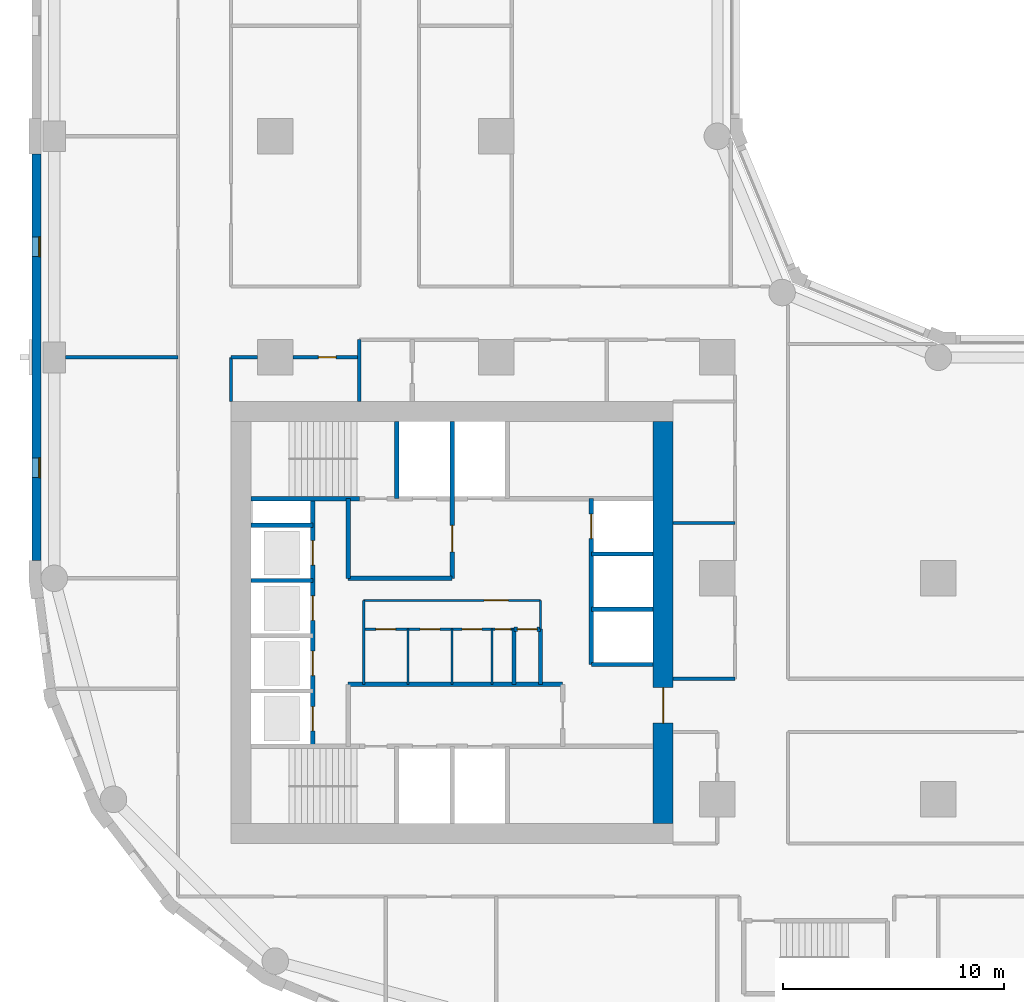
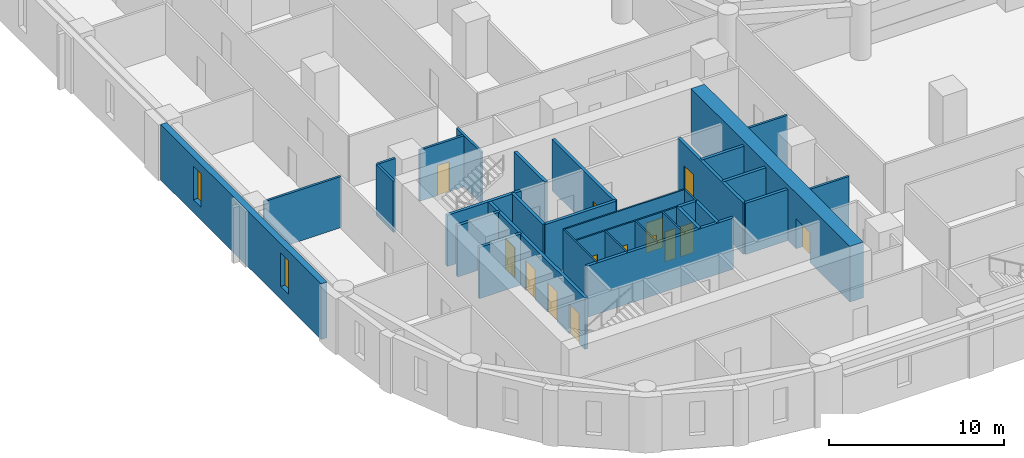
# One storey, part 3 of 10: 32 walls, 14 doors, 2 windows, 16 openings.
"""IFC4 building model written with IfcOpenShell, lengths in metres."""

from ifc_helpers import new_model, si_unit, direction, frame, frame_2d, origin, place, context, subcontext, project, spatial, rectangle, extrude, material, layer, layer_set, type_object, element, fill, save


model = new_model("IFC4")

# Units and contexts
model_context = context("Model", 3, precision=1e-05, world=origin(), true_north=direction((0.0, 1.0)))
body_context = subcontext(model_context, "Body", "Model", "MODEL_VIEW")
ifc_project = project(units=[si_unit("LENGTHUNIT", "METRE"), si_unit("AREAUNIT", "SQUARE_METRE"), si_unit("VOLUMEUNIT", "CUBIC_METRE"), si_unit("PLANEANGLEUNIT", "RADIAN"), si_unit("MASSUNIT", "GRAM", prefix="KILO")], contexts=[model_context])

# Site, building, storey
site_placement = place(None, origin())
site = spatial("IfcSite", under=ifc_project, at=site_placement, CompositionType="ELEMENT")
building_placement = place(site_placement, origin())
building = spatial("IfcBuilding", under=site, at=building_placement, Name="Qaws Garden Tower", CompositionType="ELEMENT")
storey_placement = place(building_placement, frame((0.0, 0.0, 97.800048828125)))
storey = spatial("IfcBuildingStorey", under=building, at=storey_placement, Name="L24", CompositionType="ELEMENT", Elevation=97.800048828125)

# Wall, openings, windows
ifc_material_1 = material(Name="Clay facing brick masonry", Category="masonry")
ifc_layer_1 = layer(ifc_material_1, 0.39990234375)
ifc_layer_set_1 = layer_set([ifc_layer_1], Name="Clay facing brick masonry")
wall_type_1 = type_object("IfcWallType", Name="Brick infill wall 400", PredefinedType="SOLIDWALL", material=ifc_layer_set_1)
wall_1_placement = place(storey_placement, frame((-0.800048828125, 39.199951171875, 0.0), z_axis=(0.0, 0.0, 1.0), x_axis=(0.0, -1.0, 0.0)))
wall_1 = element("IfcWall", 1, at=wall_1_placement, inside=storey, type_object=wall_type_1, Name="E-L24-infill-25", PredefinedType="SOLIDWALL", context=body_context, shape_type="SweptSolid", body=[
    extrude(rectangle(XDim=18.39990234375, YDim=0.39990234375, at=frame_2d((9.199951171875, 0.0))), origin(), (0.0, 0.0, 1.0), 3.89990234375),
])
opening_1_placement = place(wall_1_placement, frame((3.75, 0.0, 0.89990234375)))
opening_1 = element("IfcOpeningElement", 2, at=opening_1_placement, cuts=wall_1, Name="Opening W09", PredefinedType="OPENING", context=body_context, shape_type="SweptSolid", body=[
    extrude(rectangle(XDim=0.89990234375, YDim=2.35009765625, at=frame_2d((0.449951171875, 1.175048828125))), frame((0.0, 0.2099609375, 0.0), z_axis=(0.0, -1.0, 0.0), x_axis=(1.0, 0.0, 0.0)), (0.0, 0.0, 1.0), 0.419921875),
])
opening_2_placement = place(wall_1_placement, frame((13.75, 0.0, 0.89990234375)))
opening_2 = element("IfcOpeningElement", 3, at=opening_2_placement, cuts=wall_1, Name="Opening W09", PredefinedType="OPENING", context=body_context, shape_type="SweptSolid", body=[
    extrude(rectangle(XDim=0.89990234375, YDim=2.35009765625, at=frame_2d((0.449951171875, 1.175048828125))), frame((0.0, 0.2099609375, 0.0), z_axis=(0.0, -1.0, 0.0), x_axis=(1.0, 0.0, 0.0)), (0.0, 0.0, 1.0), 0.419921875),
])
ifc_material_2 = material(Name="Aluminium framed window, clear glazing", Category="aluminium")
window_type = type_object("IfcWindowType", Name="Slit window 900 x 2350", PartitioningType="SINGLE_PANEL", PredefinedType="WINDOW", material=ifc_material_2)
window_1_placement = place(opening_1_placement, origin())
window_1 = element("IfcWindow", 4, at=window_1_placement, inside=storey, type_object=window_type, Name="E-L24-window-25-0", OverallHeight=2.35009765625, OverallWidth=0.89990234375, PartitioningType="SINGLE_PANEL", PredefinedType="WINDOW", context=body_context, shape_type="SweptSolid", body=[
    extrude(rectangle(XDim=0.89990234375, YDim=2.35009765625, at=frame_2d((0.449951171875, 1.175048828125))), frame((0.0, 0.159912109375, 0.0), z_axis=(0.0, -1.0, 0.0), x_axis=(1.0, 0.0, 0.0)), (0.0, 0.0, 1.0), 0.06005859375),
])
fill(opening_1, window_1)
window_2_placement = place(opening_2_placement, origin())
window_2 = element("IfcWindow", 5, at=window_2_placement, inside=storey, type_object=window_type, Name="E-L24-window-26-0", OverallHeight=2.35009765625, OverallWidth=0.89990234375, PartitioningType="SINGLE_PANEL", PredefinedType="WINDOW", context=body_context, shape_type="SweptSolid", body=[
    extrude(rectangle(XDim=0.89990234375, YDim=2.35009765625, at=frame_2d((0.449951171875, 1.175048828125))), frame((0.0, 0.159912109375, 0.0), z_axis=(0.0, -1.0, 0.0), x_axis=(1.0, 0.0, 0.0)), (0.0, 0.0, 1.0), 0.06005859375),
])
fill(opening_2, window_2)

# Wall, openings, doors
ifc_material_3 = material(Name="Plasterboard")
ifc_layer_2 = layer(ifc_material_3, 0.10009765625)
ifc_layer_set_2 = layer_set([ifc_layer_2], Name="Plasterboard")
wall_type_2 = type_object("IfcWallType", Name="Core partition 100", PredefinedType="PARTITIONING", material=ifc_layer_set_2)
wall_2_placement = place(storey_placement, frame((14.0, 17.699951171875, 0.0), z_axis=(0.0, 0.0, 1.0), x_axis=(1.0, 0.0, 0.0)))
wall_2 = element("IfcWall", 6, at=wall_2_placement, inside=storey, type_object=wall_type_2, Name="Core partition", PredefinedType="PARTITIONING", context=body_context, shape_type="SweptSolid", body=[
    extrude(rectangle(XDim=6.800048828125, YDim=0.10009765625, at=frame_2d((3.39990234375, 0.0))), origin(), (0.0, 0.0, 1.0), 3.579833984375),
])
opening_3_placement = place(wall_2_placement, frame((0.550048828125, 0.0, 0.0)))
opening_3 = element("IfcOpeningElement", 7, at=opening_3_placement, cuts=wall_2, Name="Opening WD18", PredefinedType="OPENING", context=body_context, shape_type="SweptSolid", body=[
    extrude(rectangle(XDim=0.89990234375, YDim=2.10009765625, at=frame_2d((0.449951171875, 1.050048828125))), frame((0.0, 0.06005859375, 0.0), z_axis=(0.0, -1.0, 0.0), x_axis=(1.0, 0.0, 0.0)), (0.0, 0.0, 1.0), 0.1201171875),
])
opening_4_placement = place(wall_2_placement, frame((2.550048828125, 0.0, 0.0)))
opening_4 = element("IfcOpeningElement", 8, at=opening_4_placement, cuts=wall_2, Name="Opening WD19", PredefinedType="OPENING", context=body_context, shape_type="SweptSolid", body=[
    extrude(rectangle(XDim=0.89990234375, YDim=2.10009765625, at=frame_2d((0.449951171875, 1.050048828125))), frame((0.0, 0.06005859375, 0.0), z_axis=(0.0, -1.0, 0.0), x_axis=(1.0, 0.0, 0.0)), (0.0, 0.0, 1.0), 0.1201171875),
])
opening_5_placement = place(wall_2_placement, frame((4.449951171875, 0.0, 0.0)))
opening_5 = element("IfcOpeningElement", 9, at=opening_5_placement, cuts=wall_2, Name="Opening WD20", PredefinedType="OPENING", context=body_context, shape_type="SweptSolid", body=[
    extrude(rectangle(XDim=0.89990234375, YDim=2.10009765625, at=frame_2d((0.449951171875, 1.050048828125))), frame((0.0, 0.06005859375, 0.0), z_axis=(0.0, -1.0, 0.0), x_axis=(1.0, 0.0, 0.0)), (0.0, 0.0, 1.0), 0.1201171875),
])
opening_6_placement = place(wall_2_placement, frame((5.949951171875, 0.0, 0.0)))
opening_6 = element("IfcOpeningElement", 10, at=opening_6_placement, cuts=wall_2, Name="Opening XD21", PredefinedType="OPENING", context=body_context, shape_type="SweptSolid", body=[
    extrude(rectangle(XDim=0.699951171875, YDim=2.10009765625, at=frame_2d((0.35009765625, 1.050048828125))), frame((0.0, 0.06005859375, 0.0), z_axis=(0.0, -1.0, 0.0), x_axis=(1.0, 0.0, 0.0)), (0.0, 0.0, 1.0), 0.1201171875),
])
ifc_material_4 = material(Name="Timber", Category="wood")
door_type_1 = type_object("IfcDoorType", Name="Store door 700x2100", OperationType="SINGLE_SWING_LEFT", PredefinedType="DOOR", material=ifc_material_4)
door_1_placement = place(opening_6_placement, frame((0.699951171875, 0.0, 0.0), z_axis=(0.0, 0.0, 1.0), x_axis=(-1.0, 0.0, 0.0)))
door_1 = element("IfcDoor", 11, at=door_1_placement, inside=storey, type_object=door_type_1, Name="Cleaner's store door", OperationType="SINGLE_SWING_LEFT", OverallHeight=2.10009765625, OverallWidth=0.699951171875, PredefinedType="DOOR", context=body_context, shape_type="SweptSolid", body=[
    extrude(rectangle(XDim=0.699951171875, YDim=2.10009765625, at=frame_2d((0.35009765625, 1.050048828125))), frame((0.0, 0.02490234375, 0.0), z_axis=(0.0, -1.0, 0.0), x_axis=(1.0, 0.0, 0.0)), (0.0, 0.0, 1.0), 0.050048828125),
])
fill(opening_6, door_1)
ifc_material_5 = material(Name="Timber", Category="wood")
door_type_2 = type_object("IfcDoorType", Name="WC door 900x2100", OperationType="SINGLE_SWING_LEFT", PredefinedType="DOOR", material=ifc_material_5)
door_2_placement = place(opening_3_placement, frame((0.89990234375, 0.0, 0.0), z_axis=(0.0, 0.0, 1.0), x_axis=(-1.0, 0.0, 0.0)))
door_2 = element("IfcDoor", 12, at=door_2_placement, inside=storey, type_object=door_type_2, Name="Women's WC door", OperationType="SINGLE_SWING_LEFT", OverallHeight=2.10009765625, OverallWidth=0.89990234375, PredefinedType="DOOR", context=body_context, shape_type="SweptSolid", body=[
    extrude(rectangle(XDim=0.89990234375, YDim=2.10009765625, at=frame_2d((0.449951171875, 1.050048828125))), frame((0.0, 0.02490234375, 0.0), z_axis=(0.0, -1.0, 0.0), x_axis=(1.0, 0.0, 0.0)), (0.0, 0.0, 1.0), 0.050048828125),
])
fill(opening_3, door_2)
door_3_placement = place(opening_4_placement, frame((0.89990234375, 0.0, 0.0), z_axis=(0.0, 0.0, 1.0), x_axis=(-1.0, 0.0, 0.0)))
door_3 = element("IfcDoor", 13, at=door_3_placement, inside=storey, type_object=door_type_2, Name="Men's WC door", OperationType="SINGLE_SWING_LEFT", OverallHeight=2.10009765625, OverallWidth=0.89990234375, PredefinedType="DOOR", context=body_context, shape_type="SweptSolid", body=[
    extrude(rectangle(XDim=0.89990234375, YDim=2.10009765625, at=frame_2d((0.449951171875, 1.050048828125))), frame((0.0, 0.02490234375, 0.0), z_axis=(0.0, -1.0, 0.0), x_axis=(1.0, 0.0, 0.0)), (0.0, 0.0, 1.0), 0.050048828125),
])
fill(opening_4, door_3)
door_4_placement = place(opening_5_placement, frame((0.89990234375, 0.0, 0.0), z_axis=(0.0, 0.0, 1.0), x_axis=(-1.0, 0.0, 0.0)))
door_4 = element("IfcDoor", 14, at=door_4_placement, inside=storey, type_object=door_type_2, Name="Accessible WC door", OperationType="SINGLE_SWING_LEFT", OverallHeight=2.10009765625, OverallWidth=0.89990234375, PredefinedType="DOOR", context=body_context, shape_type="SweptSolid", body=[
    extrude(rectangle(XDim=0.89990234375, YDim=2.10009765625, at=frame_2d((0.449951171875, 1.050048828125))), frame((0.0, 0.02490234375, 0.0), z_axis=(0.0, -1.0, 0.0), x_axis=(1.0, 0.0, 0.0)), (0.0, 0.0, 1.0), 0.050048828125),
])
fill(opening_5, door_4)

# Wall, opening, door
wall_3_placement = place(storey_placement, frame((14.0, 19.0, 0.0), z_axis=(0.0, 0.0, 1.0), x_axis=(1.0, 0.0, 0.0)))
wall_3 = element("IfcWall", 15, at=wall_3_placement, inside=storey, type_object=wall_type_2, Name="Core partition", PredefinedType="PARTITIONING", context=body_context, shape_type="SweptSolid", body=[
    extrude(rectangle(XDim=8.0, YDim=0.10009765625, at=frame_2d((4.0, 0.0))), origin(), (0.0, 0.0, 1.0), 3.579833984375),
])
opening_7_placement = place(wall_3_placement, frame((5.449951171875, 0.0, 0.0)))
opening_7 = element("IfcOpeningElement", 16, at=opening_7_placement, cuts=wall_3, Name="Opening WL17", PredefinedType="OPENING", context=body_context, shape_type="SweptSolid", body=[
    extrude(rectangle(XDim=1.10009765625, YDim=2.10009765625, at=frame_2d((0.550048828125, 1.050048828125))), frame((0.0, 0.06005859375, 0.0), z_axis=(0.0, -1.0, 0.0), x_axis=(1.0, 0.0, 0.0)), (0.0, 0.0, 1.0), 0.1201171875),
])
ifc_material_6 = material(Name="Timber", Category="wood")
door_type_3 = type_object("IfcDoorType", Name="WC lobby door 1100x2100", OperationType="SINGLE_SWING_LEFT", PredefinedType="DOOR", material=ifc_material_6)
door_5_placement = place(opening_7_placement, frame((1.10009765625, 0.0, 0.0), z_axis=(0.0, 0.0, 1.0), x_axis=(-1.0, 0.0, 0.0)))
door_5 = element("IfcDoor", 17, at=door_5_placement, inside=storey, type_object=door_type_3, Name="WC lobby door", OperationType="SINGLE_SWING_LEFT", OverallHeight=2.10009765625, OverallWidth=1.10009765625, PredefinedType="DOOR", context=body_context, shape_type="SweptSolid", body=[
    extrude(rectangle(XDim=1.10009765625, YDim=2.10009765625, at=frame_2d((0.550048828125, 1.050048828125))), frame((0.0, 0.02490234375, 0.0), z_axis=(0.0, -1.0, 0.0), x_axis=(1.0, 0.0, 0.0)), (0.0, 0.0, 1.0), 0.050048828125),
])
fill(opening_7, door_5)

# Walls
wall_4_placement = place(storey_placement, frame((14.0, 15.199951171875, 0.0), z_axis=(0.0, 0.0, 1.0), x_axis=(0.0, 1.0, 0.0)))
element("IfcWall", 18, at=wall_4_placement, inside=storey, type_object=wall_type_2, Name="Core partition", PredefinedType="PARTITIONING", context=body_context, shape_type="SweptSolid", body=[
    extrude(rectangle(XDim=3.800048828125, YDim=0.10009765625, at=frame_2d((1.89990234375, 0.0))), origin(), (0.0, 0.0, 1.0), 3.579833984375),
])
for number, where, z_axis, x_axis, name in (
    (19, (16.0, 15.199951171875, 0.0), (0.0, 0.0, 1.0), (0.0, 1.0, 0.0), "Core partition"),
    (20, (18.0, 15.199951171875, 0.0), (0.0, 0.0, 1.0), (0.0, 1.0, 0.0), "Core partition"),
    (21, (19.800048828125, 15.199951171875, 0.0), (0.0, 0.0, 1.0), (0.0, 1.0, 0.0), "Core partition"),
):
    element("IfcWall", number, at=place(storey_placement, frame(where, z_axis=z_axis, x_axis=x_axis)), inside=storey, type_object=wall_type_2, Name=name, PredefinedType="PARTITIONING", context=body_context, shape_type="SweptSolid", body=[
        extrude(rectangle(XDim=2.5, YDim=0.10009765625, at=frame_2d((1.25, 0.0))), origin(), (0.0, 0.0, 1.0), 3.579833984375),
    ])
wall_5_placement = place(storey_placement, frame((22.0, 17.699951171875, 0.0), z_axis=(0.0, 0.0, 1.0), x_axis=(0.0, 1.0, 0.0)))
element("IfcWall", 22, at=wall_5_placement, inside=storey, type_object=wall_type_2, Name="Core partition", PredefinedType="PARTITIONING", context=body_context, shape_type="SweptSolid", body=[
    extrude(rectangle(XDim=1.300048828125, YDim=0.10009765625, at=frame_2d((0.64990234375, 0.0))), origin(), (0.0, 0.0, 1.0), 3.579833984375),
])
ifc_material_7 = material(Name="Concrete C80", Category="concrete")
ifc_layer_3 = layer(ifc_material_7, 0.199951171875)
ifc_layer_set_3 = layer_set([ifc_layer_3], Name="Concrete C80")
wall_type_3 = type_object("IfcWallType", Name="Core shaft wall 200 C80", PredefinedType="SHEAR", material=ifc_layer_set_3)
wall_6_placement = place(storey_placement, frame((13.300048828125, 15.199951171875, 0.0), z_axis=(0.0, 0.0, 1.0), x_axis=(1.0, 0.0, 0.0)))
element("IfcWall", 23, at=wall_6_placement, inside=storey, type_object=wall_type_3, Name="Shaft wall", PredefinedType="SHEAR", context=body_context, shape_type="SweptSolid", body=[
    extrude(rectangle(XDim=9.699951171875, YDim=0.199951171875, at=frame_2d((4.85009765625, 0.0))), origin(), (0.0, 0.0, 1.0), 3.579833984375),
])
wall_7_placement = place(storey_placement, frame((24.300048828125, 16.10009765625, 0.0), z_axis=(0.0, 0.0, 1.0), x_axis=(1.0, 0.0, 0.0)))
element("IfcWall", 24, at=wall_7_placement, inside=storey, type_object=wall_type_3, Name="Shaft wall", PredefinedType="SHEAR", context=body_context, shape_type="SweptSolid", body=[
    extrude(rectangle(XDim=2.800048828125, YDim=0.199951171875, at=frame_2d((1.39990234375, 0.0))), origin(), (0.0, 0.0, 1.0), 3.579833984375),
])

# Wall, opening, door
wall_8_placement = place(storey_placement, frame((20.800048828125, 17.699951171875, 0.0), z_axis=(0.0, 0.0, 1.0), x_axis=(1.0, 0.0, 0.0)))
wall_8 = element("IfcWall", 25, at=wall_8_placement, inside=storey, type_object=wall_type_3, Name="Shaft wall", PredefinedType="SHEAR", context=body_context, shape_type="SweptSolid", body=[
    extrude(rectangle(XDim=1.199951171875, YDim=0.199951171875, at=frame_2d((0.60009765625, 0.0))), origin(), (0.0, 0.0, 1.0), 3.579833984375),
])
opening_8_placement = place(wall_8_placement, frame((0.14990234375, 0.0, 0.0)))
opening_8 = element("IfcOpeningElement", 26, at=opening_8_placement, cuts=wall_8, Name="Opening WD22", PredefinedType="OPENING", context=body_context, shape_type="SweptSolid", body=[
    extrude(rectangle(XDim=0.89990234375, YDim=2.10009765625, at=frame_2d((0.449951171875, 1.050048828125))), frame((0.0, 0.10986328125, 0.0), z_axis=(0.0, -1.0, 0.0), x_axis=(1.0, 0.0, 0.0)), (0.0, 0.0, 1.0), 0.219970703125),
])
door_6_placement = place(opening_8_placement, frame((0.89990234375, 0.0, 0.0), z_axis=(0.0, 0.0, 1.0), x_axis=(-1.0, 0.0, 0.0)))
door_6 = element("IfcDoor", 27, at=door_6_placement, inside=storey, type_object=door_type_2, Name="Telecom riser door", OperationType="SINGLE_SWING_LEFT", OverallHeight=2.10009765625, OverallWidth=0.89990234375, PredefinedType="DOOR", context=body_context, shape_type="SweptSolid", body=[
    extrude(rectangle(XDim=0.89990234375, YDim=2.10009765625, at=frame_2d((0.449951171875, 1.050048828125))), frame((0.0, 0.02490234375, 0.0), z_axis=(0.0, -1.0, 0.0), x_axis=(1.0, 0.0, 0.0)), (0.0, 0.0, 1.0), 0.050048828125),
])
fill(opening_8, door_6)

# Walls
for number, where, z_axis, x_axis, name in (
    (28, (24.300048828125, 18.60009765625, 0.0), (0.0, 0.0, 1.0), (1.0, 0.0, 0.0), "Shaft wall"),
    (29, (8.89990234375, 19.89990234375, 0.0), (0.0, 0.0, 1.0), (1.0, 0.0, 0.0), "Shaft wall"),
):
    element("IfcWall", number, at=place(storey_placement, frame(where, z_axis=z_axis, x_axis=x_axis)), inside=storey, type_object=wall_type_3, Name=name, PredefinedType="SHEAR", context=body_context, shape_type="SweptSolid", body=[
        extrude(rectangle(XDim=2.800048828125, YDim=0.199951171875, at=frame_2d((1.39990234375, 0.0))), origin(), (0.0, 0.0, 1.0), 3.579833984375),
    ])
wall_9_placement = place(storey_placement, frame((13.300048828125, 20.0, 0.0), z_axis=(0.0, 0.0, 1.0), x_axis=(1.0, 0.0, 0.0)))
element("IfcWall", 30, at=wall_9_placement, inside=storey, type_object=wall_type_3, Name="Shaft wall", PredefinedType="SHEAR", context=body_context, shape_type="SweptSolid", body=[
    extrude(rectangle(XDim=4.699951171875, YDim=0.199951171875, at=frame_2d((2.35009765625, 0.0))), origin(), (0.0, 0.0, 1.0), 3.579833984375),
])
for number, where, z_axis, x_axis, name in (
    (31, (24.300048828125, 21.10009765625, 0.0), (0.0, 0.0, 1.0), (1.0, 0.0, 0.0), "Shaft wall"),
    (32, (8.89990234375, 22.39990234375, 0.0), (0.0, 0.0, 1.0), (1.0, 0.0, 0.0), "Shaft wall"),
):
    element("IfcWall", number, at=place(storey_placement, frame(where, z_axis=z_axis, x_axis=x_axis)), inside=storey, type_object=wall_type_3, Name=name, PredefinedType="SHEAR", context=body_context, shape_type="SweptSolid", body=[
        extrude(rectangle(XDim=2.800048828125, YDim=0.199951171875, at=frame_2d((1.39990234375, 0.0))), origin(), (0.0, 0.0, 1.0), 3.579833984375),
    ])
wall_10_placement = place(storey_placement, frame((8.89990234375, 23.60009765625, 0.0), z_axis=(0.0, 0.0, 1.0), x_axis=(1.0, 0.0, 0.0)))
element("IfcWall", 33, at=wall_10_placement, inside=storey, type_object=wall_type_3, Name="Shaft wall", PredefinedType="SHEAR", context=body_context, shape_type="SweptSolid", body=[
    extrude(rectangle(XDim=4.900146484375, YDim=0.199951171875, at=frame_2d((2.4501953125, 0.0))), origin(), (0.0, 0.0, 1.0), 3.579833984375),
])

# Wall, openings, doors
wall_11_placement = place(storey_placement, frame((11.699951171875, 12.39990234375, 0.0), z_axis=(0.0, 0.0, 1.0), x_axis=(0.0, 1.0, 0.0)))
wall_11 = element("IfcWall", 34, at=wall_11_placement, inside=storey, type_object=wall_type_3, Name="Shaft wall", PredefinedType="SHEAR", context=body_context, shape_type="SweptSolid", body=[
    extrude(rectangle(XDim=11.2001953125, YDim=0.199951171875, at=frame_2d((5.60009765625, 0.0))), origin(), (0.0, 0.0, 1.0), 3.579833984375),
])
opening_9_placement = place(wall_11_placement, frame((0.699951171875, 0.0, 0.0)))
opening_9 = element("IfcOpeningElement", 35, at=opening_9_placement, cuts=wall_11, Name="Opening LD01", PredefinedType="OPENING", context=body_context, shape_type="SweptSolid", body=[
    extrude(rectangle(XDim=1.10009765625, YDim=2.10009765625, at=frame_2d((0.550048828125, 1.050048828125))), frame((0.0, 0.10986328125, 0.0), z_axis=(0.0, -1.0, 0.0), x_axis=(1.0, 0.0, 0.0)), (0.0, 0.0, 1.0), 0.219970703125),
])
opening_10_placement = place(wall_11_placement, frame((3.199951171875, 0.0, 0.0)))
opening_10 = element("IfcOpeningElement", 36, at=opening_10_placement, cuts=wall_11, Name="Opening LD02", PredefinedType="OPENING", context=body_context, shape_type="SweptSolid", body=[
    extrude(rectangle(XDim=1.10009765625, YDim=2.10009765625, at=frame_2d((0.550048828125, 1.050048828125))), frame((0.0, 0.10986328125, 0.0), z_axis=(0.0, -1.0, 0.0), x_axis=(1.0, 0.0, 0.0)), (0.0, 0.0, 1.0), 0.219970703125),
])
opening_11_placement = place(wall_11_placement, frame((5.699951171875, 0.0, 0.0)))
opening_11 = element("IfcOpeningElement", 37, at=opening_11_placement, cuts=wall_11, Name="Opening LD03", PredefinedType="OPENING", context=body_context, shape_type="SweptSolid", body=[
    extrude(rectangle(XDim=1.10009765625, YDim=2.10009765625, at=frame_2d((0.550048828125, 1.050048828125))), frame((0.0, 0.10986328125, 0.0), z_axis=(0.0, -1.0, 0.0), x_axis=(1.0, 0.0, 0.0)), (0.0, 0.0, 1.0), 0.219970703125),
])
opening_12_placement = place(wall_11_placement, frame((8.199951171875, 0.0, 0.0)))
opening_12 = element("IfcOpeningElement", 38, at=opening_12_placement, cuts=wall_11, Name="Opening LD04", PredefinedType="OPENING", context=body_context, shape_type="SweptSolid", body=[
    extrude(rectangle(XDim=1.10009765625, YDim=2.10009765625, at=frame_2d((0.550048828125, 1.050048828125))), frame((0.0, 0.10986328125, 0.0), z_axis=(0.0, -1.0, 0.0), x_axis=(1.0, 0.0, 0.0)), (0.0, 0.0, 1.0), 0.219970703125),
])
ifc_material_8 = material(Name="Steel S235", Category="steel")
door_type_4 = type_object("IfcDoorType", Name="Landing door 1100x2100", OperationType="DOUBLE_DOOR_SLIDING", PredefinedType="DOOR", material=ifc_material_8)
door_7_placement = place(opening_9_placement, origin())
door_7 = element("IfcDoor", 39, at=door_7_placement, inside=storey, type_object=door_type_4, Name="Lift W1 landing door", OperationType="DOUBLE_DOOR_SLIDING", OverallHeight=2.10009765625, OverallWidth=1.10009765625, PredefinedType="DOOR", context=body_context, shape_type="SweptSolid", body=[
    extrude(rectangle(XDim=1.10009765625, YDim=2.10009765625, at=frame_2d((0.550048828125, 1.050048828125))), frame((0.0, 0.02490234375, 0.0), z_axis=(0.0, -1.0, 0.0), x_axis=(1.0, 0.0, 0.0)), (0.0, 0.0, 1.0), 0.050048828125),
])
fill(opening_9, door_7)
door_8_placement = place(opening_10_placement, origin())
door_8 = element("IfcDoor", 40, at=door_8_placement, inside=storey, type_object=door_type_4, Name="Lift W2 landing door", OperationType="DOUBLE_DOOR_SLIDING", OverallHeight=2.10009765625, OverallWidth=1.10009765625, PredefinedType="DOOR", context=body_context, shape_type="SweptSolid", body=[
    extrude(rectangle(XDim=1.10009765625, YDim=2.10009765625, at=frame_2d((0.550048828125, 1.050048828125))), frame((0.0, 0.02490234375, 0.0), z_axis=(0.0, -1.0, 0.0), x_axis=(1.0, 0.0, 0.0)), (0.0, 0.0, 1.0), 0.050048828125),
])
fill(opening_10, door_8)
door_9_placement = place(opening_11_placement, origin())
door_9 = element("IfcDoor", 41, at=door_9_placement, inside=storey, type_object=door_type_4, Name="Lift W3 landing door", OperationType="DOUBLE_DOOR_SLIDING", OverallHeight=2.10009765625, OverallWidth=1.10009765625, PredefinedType="DOOR", context=body_context, shape_type="SweptSolid", body=[
    extrude(rectangle(XDim=1.10009765625, YDim=2.10009765625, at=frame_2d((0.550048828125, 1.050048828125))), frame((0.0, 0.02490234375, 0.0), z_axis=(0.0, -1.0, 0.0), x_axis=(1.0, 0.0, 0.0)), (0.0, 0.0, 1.0), 0.050048828125),
])
fill(opening_11, door_9)
door_10_placement = place(opening_12_placement, origin())
door_10 = element("IfcDoor", 42, at=door_10_placement, inside=storey, type_object=door_type_4, Name="Lift W4 landing door", OperationType="DOUBLE_DOOR_SLIDING", OverallHeight=2.10009765625, OverallWidth=1.10009765625, PredefinedType="DOOR", context=body_context, shape_type="SweptSolid", body=[
    extrude(rectangle(XDim=1.10009765625, YDim=2.10009765625, at=frame_2d((0.550048828125, 1.050048828125))), frame((0.0, 0.02490234375, 0.0), z_axis=(0.0, -1.0, 0.0), x_axis=(1.0, 0.0, 0.0)), (0.0, 0.0, 1.0), 0.050048828125),
])
fill(opening_12, door_10)

# Walls
wall_12_placement = place(storey_placement, frame((13.300048828125, 20.0, 0.0), z_axis=(0.0, 0.0, 1.0), x_axis=(0.0, 1.0, 0.0)))
element("IfcWall", 43, at=wall_12_placement, inside=storey, type_object=wall_type_3, Name="Shaft wall", PredefinedType="SHEAR", context=body_context, shape_type="SweptSolid", body=[
    extrude(rectangle(XDim=3.60009765625, YDim=0.199951171875, at=frame_2d((1.800048828125, 0.0))), origin(), (0.0, 0.0, 1.0), 3.579833984375),
])
wall_13_placement = place(storey_placement, frame((15.5, 23.60009765625, 0.0), z_axis=(0.0, 0.0, 1.0), x_axis=(0.0, 1.0, 0.0)))
element("IfcWall", 44, at=wall_13_placement, inside=storey, type_object=wall_type_3, Name="Shaft wall", PredefinedType="SHEAR", context=body_context, shape_type="SweptSolid", body=[
    extrude(rectangle(XDim=3.5, YDim=0.199951171875, at=frame_2d((1.75, 0.0))), origin(), (0.0, 0.0, 1.0), 3.579833984375),
])

# Wall, opening, door
wall_14_placement = place(storey_placement, frame((18.0, 20.0, 0.0), z_axis=(0.0, 0.0, 1.0), x_axis=(0.0, 1.0, 0.0)))
wall_14 = element("IfcWall", 45, at=wall_14_placement, inside=storey, type_object=wall_type_3, Name="Shaft wall", PredefinedType="SHEAR", context=body_context, shape_type="SweptSolid", body=[
    extrude(rectangle(XDim=7.10009765625, YDim=0.199951171875, at=frame_2d((3.550048828125, 0.0))), origin(), (0.0, 0.0, 1.0), 3.579833984375),
])
opening_13_placement = place(wall_14_placement, frame((1.199951171875, 0.0, 0.0)))
opening_13 = element("IfcOpeningElement", 46, at=opening_13_placement, cuts=wall_14, Name="Opening FD16", PredefinedType="OPENING", context=body_context, shape_type="SweptSolid", body=[
    extrude(rectangle(XDim=1.199951171875, YDim=2.10009765625, at=frame_2d((0.60009765625, 1.050048828125))), frame((0.0, 0.10986328125, 0.0), z_axis=(0.0, -1.0, 0.0), x_axis=(1.0, 0.0, 0.0)), (0.0, 0.0, 1.0), 0.219970703125),
])
ifc_material_9 = material(Name="Steel S235", Category="steel")
door_type_5 = type_object("IfcDoorType", Name="Lobby door 1200x2100", OperationType="DOUBLE_DOOR_SINGLE_SWING", PredefinedType="DOOR", material=ifc_material_9)
door_11_placement = place(opening_13_placement, origin())
door_11 = element("IfcDoor", 47, at=door_11_placement, inside=storey, type_object=door_type_5, Name="Fire-fighting lobby door", OperationType="DOUBLE_DOOR_SINGLE_SWING", OverallHeight=2.10009765625, OverallWidth=1.199951171875, PredefinedType="DOOR", context=body_context, shape_type="SweptSolid", body=[
    extrude(rectangle(XDim=1.199951171875, YDim=2.10009765625, at=frame_2d((0.60009765625, 1.050048828125))), frame((0.0, 0.02490234375, 0.0), z_axis=(0.0, -1.0, 0.0), x_axis=(1.0, 0.0, 0.0)), (0.0, 0.0, 1.0), 0.050048828125),
])
fill(opening_13, door_11)

# Walls
for number, where, z_axis, x_axis, name in (
    (48, (20.800048828125, 15.199951171875, 0.0), (0.0, 0.0, 1.0), (0.0, 1.0, 0.0), "Shaft wall"),
    (49, (22.0, 15.199951171875, 0.0), (0.0, 0.0, 1.0), (0.0, 1.0, 0.0), "Shaft wall"),
):
    element("IfcWall", number, at=place(storey_placement, frame(where, z_axis=z_axis, x_axis=x_axis)), inside=storey, type_object=wall_type_3, Name=name, PredefinedType="SHEAR", context=body_context, shape_type="SweptSolid", body=[
        extrude(rectangle(XDim=2.5, YDim=0.199951171875, at=frame_2d((1.25, 0.0))), origin(), (0.0, 0.0, 1.0), 3.579833984375),
    ])

# Wall, opening, door
wall_15_placement = place(storey_placement, frame((24.300048828125, 16.10009765625, 0.0), z_axis=(0.0, 0.0, 1.0), x_axis=(0.0, 1.0, 0.0)))
wall_15 = element("IfcWall", 50, at=wall_15_placement, inside=storey, type_object=wall_type_3, Name="Shaft wall", PredefinedType="SHEAR", context=body_context, shape_type="SweptSolid", body=[
    extrude(rectangle(XDim=7.5, YDim=0.199951171875, at=frame_2d((3.75, 0.0))), origin(), (0.0, 0.0, 1.0), 3.579833984375),
])
opening_14_placement = place(wall_15_placement, frame((5.699951171875, 0.0, 0.0)))
opening_14 = element("IfcOpeningElement", 51, at=opening_14_placement, cuts=wall_15, Name="Opening LD05", PredefinedType="OPENING", context=body_context, shape_type="SweptSolid", body=[
    extrude(rectangle(XDim=1.10009765625, YDim=2.10009765625, at=frame_2d((0.550048828125, 1.050048828125))), frame((0.0, 0.10986328125, 0.0), z_axis=(0.0, -1.0, 0.0), x_axis=(1.0, 0.0, 0.0)), (0.0, 0.0, 1.0), 0.219970703125),
])
door_12_placement = place(opening_14_placement, origin())
door_12 = element("IfcDoor", 52, at=door_12_placement, inside=storey, type_object=door_type_4, Name="Lift E3 landing door", OperationType="DOUBLE_DOOR_SLIDING", OverallHeight=2.10009765625, OverallWidth=1.10009765625, PredefinedType="DOOR", context=body_context, shape_type="SweptSolid", body=[
    extrude(rectangle(XDim=1.10009765625, YDim=2.10009765625, at=frame_2d((0.550048828125, 1.050048828125))), frame((0.0, 0.02490234375, 0.0), z_axis=(0.0, -1.0, 0.0), x_axis=(1.0, 0.0, 0.0)), (0.0, 0.0, 1.0), 0.050048828125),
])
fill(opening_14, door_12)

ifc_material_10 = material(Name="Concrete C80", Category="concrete")
ifc_layer_4 = layer(ifc_material_10, 0.89990234375)
ifc_layer_set_4 = layer_set([ifc_layer_4], Name="Concrete C80")
wall_type_4 = type_object("IfcWallType", Name="Core wall 900 C80", PredefinedType="SHEAR", material=ifc_layer_set_4)
wall_16_placement = place(storey_placement, frame((27.550048828125, 8.89990234375, 0.0), z_axis=(0.0, 0.0, 1.0), x_axis=(0.0, 1.0, 0.0)))
wall_16 = element("IfcWall", 53, at=wall_16_placement, inside=storey, type_object=wall_type_4, Name="Core wall L24 east", PredefinedType="SHEAR", context=body_context, shape_type="SweptSolid", body=[
    extrude(rectangle(XDim=18.2001953125, YDim=0.89990234375, at=frame_2d((9.10009765625, 0.0))), origin(), (0.0, 0.0, 1.0), 3.89990234375),
])
opening_15_placement = place(wall_16_placement, frame((4.550048828125, 0.0, 0.0)))
opening_15 = element("IfcOpeningElement", 54, at=opening_15_placement, cuts=wall_16, Name="Opening ED23", PredefinedType="OPENING", context=body_context, shape_type="SweptSolid", body=[
    extrude(rectangle(XDim=1.60009765625, YDim=2.10009765625, at=frame_2d((0.800048828125, 1.050048828125))), frame((0.0, 0.4599609375, 0.0), z_axis=(0.0, -1.0, 0.0), x_axis=(1.0, 0.0, 0.0)), (0.0, 0.0, 1.0), 0.919921875),
])
ifc_material_11 = material(Name="Steel S235", Category="steel")
door_type_6 = type_object("IfcDoorType", Name="Core entrance door 1600x2100", OperationType="DOUBLE_DOOR_SINGLE_SWING", PredefinedType="DOOR", material=ifc_material_11)
door_13_placement = place(opening_15_placement, origin())
door_13 = element("IfcDoor", 55, at=door_13_placement, inside=storey, type_object=door_type_6, Name="Core entrance door", OperationType="DOUBLE_DOOR_SINGLE_SWING", OverallHeight=2.10009765625, OverallWidth=1.60009765625, PredefinedType="DOOR", context=body_context, shape_type="SweptSolid", body=[
    extrude(rectangle(XDim=1.60009765625, YDim=2.10009765625, at=frame_2d((0.800048828125, 1.050048828125))), frame((0.0, 0.02490234375, 0.0), z_axis=(0.0, -1.0, 0.0), x_axis=(1.0, 0.0, 0.0)), (0.0, 0.0, 1.0), 0.050048828125),
])
fill(opening_15, door_13)

# Walls
ifc_material_12 = material(Name="Gypsum board partition")
ifc_layer_5 = layer(ifc_material_12, 0.14990234375)
ifc_layer_set_5 = layer_set([ifc_layer_5], Name="Gypsum board partition")
wall_type_5 = type_object("IfcWallType", Name="PARTITION 150 EI 60", PredefinedType="PARTITIONING", material=ifc_layer_set_5)
wall_17_placement = place(storey_placement, frame((8.0, 28.0, 0.0), z_axis=(0.0, 0.0, 1.0), x_axis=(0.0, 1.0, 0.0)))
element("IfcWall", 56, at=wall_17_placement, inside=storey, type_object=wall_type_5, Name="O-L24-wall-002", PredefinedType="PARTITIONING", context=body_context, shape_type="SweptSolid", body=[
    extrude(rectangle(XDim=2.0, YDim=0.14990234375, at=frame_2d((1.0, 0.0))), origin(), (0.0, 0.0, 1.0), 3.579833984375),
])
for number, where, z_axis, x_axis, name in (
    (57, (13.800048828125, 28.0, 0.0), (0.0, 0.0, 1.0), (0.0, 1.0, 0.0), "O-L24-wall-005"),
    (58, (28.0, 15.449951171875, 0.0), (0.0, 0.0, 1.0), (1.0, 0.0, 0.0), "O-L24-wall-038"),
    (59, (28.0, 22.5, 0.0), (0.0, 0.0, 1.0), (1.0, 0.0, 0.0), "O-L24-wall-041"),
):
    element("IfcWall", number, at=place(storey_placement, frame(where, z_axis=z_axis, x_axis=x_axis)), inside=storey, type_object=wall_type_5, Name=name, PredefinedType="PARTITIONING", context=body_context, shape_type="SweptSolid", body=[
        extrude(rectangle(XDim=2.800048828125, YDim=0.14990234375, at=frame_2d((1.39990234375, 0.0))), origin(), (0.0, 0.0, 1.0), 3.579833984375),
    ])
wall_18_placement = place(storey_placement, frame((0.5, 30.0, 0.0), z_axis=(0.0, 0.0, 1.0), x_axis=(1.0, 0.0, 0.0)))
element("IfcWall", 60, at=wall_18_placement, inside=storey, type_object=wall_type_5, Name="O-L24-wall-043", PredefinedType="PARTITIONING", context=body_context, shape_type="SweptSolid", body=[
    extrude(rectangle(XDim=5.10009765625, YDim=0.14990234375, at=frame_2d((2.550048828125, 0.0))), origin(), (0.0, 0.0, 1.0), 3.579833984375),
])
wall_19_placement = place(storey_placement, frame((8.0, 30.0, 0.0), z_axis=(0.0, 0.0, 1.0), x_axis=(1.0, 0.0, 0.0)))
element("IfcWall", 61, at=wall_19_placement, inside=storey, type_object=wall_type_5, Name="O-L24-wall-044", PredefinedType="PARTITIONING", context=body_context, shape_type="SweptSolid", body=[
    extrude(rectangle(XDim=1.199951171875, YDim=0.14990234375, at=frame_2d((0.60009765625, 0.0))), origin(), (0.0, 0.0, 1.0), 3.579833984375),
])

# Wall, opening, door
wall_20_placement = place(storey_placement, frame((10.800048828125, 30.0, 0.0), z_axis=(0.0, 0.0, 1.0), x_axis=(1.0, 0.0, 0.0)))
wall_20 = element("IfcWall", 62, at=wall_20_placement, inside=storey, type_object=wall_type_5, Name="O-L24-wall-045", PredefinedType="PARTITIONING", context=body_context, shape_type="SweptSolid", body=[
    extrude(rectangle(XDim=3.0, YDim=0.14990234375, at=frame_2d((1.5, 0.0))), origin(), (0.0, 0.0, 1.0), 3.579833984375),
])
opening_16_placement = place(wall_20_placement, frame((1.14990234375, 0.0, 0.0)))
opening_16 = element("IfcOpeningElement", 63, at=opening_16_placement, cuts=wall_20, Name="Opening A810", PredefinedType="OPENING", context=body_context, shape_type="SweptSolid", body=[
    extrude(rectangle(XDim=0.800048828125, YDim=2.10009765625, at=frame_2d((0.39990234375, 1.050048828125))), frame((0.0, 0.0849609375, 0.0), z_axis=(0.0, -1.0, 0.0), x_axis=(1.0, 0.0, 0.0)), (0.0, 0.0, 1.0), 0.169921875),
])
ifc_material_13 = material(Name="Timber door leaf", Category="wood")
door_type_7 = type_object("IfcDoorType", Name="STORE DOOR 800 X 2100", OperationType="SINGLE_SWING_LEFT", PredefinedType="DOOR", material=ifc_material_13)
door_14_placement = place(opening_16_placement, frame((0.800048828125, 0.0, 0.0), z_axis=(0.0, 0.0, 1.0), x_axis=(-1.0, 0.0, 0.0)))
door_14 = element("IfcDoor", 64, at=door_14_placement, inside=storey, type_object=door_type_7, Name="O-L24-door-010", OperationType="SINGLE_SWING_LEFT", OverallHeight=2.10009765625, OverallWidth=0.800048828125, PredefinedType="DOOR", context=body_context, shape_type="SweptSolid", body=[
    extrude(rectangle(XDim=0.800048828125, YDim=2.10009765625, at=frame_2d((0.39990234375, 1.050048828125))), frame((0.0, 0.02490234375, 0.0), z_axis=(0.0, -1.0, 0.0), x_axis=(1.0, 0.0, 0.0)), (0.0, 0.0, 1.0), 0.050048828125),
])
fill(opening_16, door_14)

save(model, "model.ifc")
